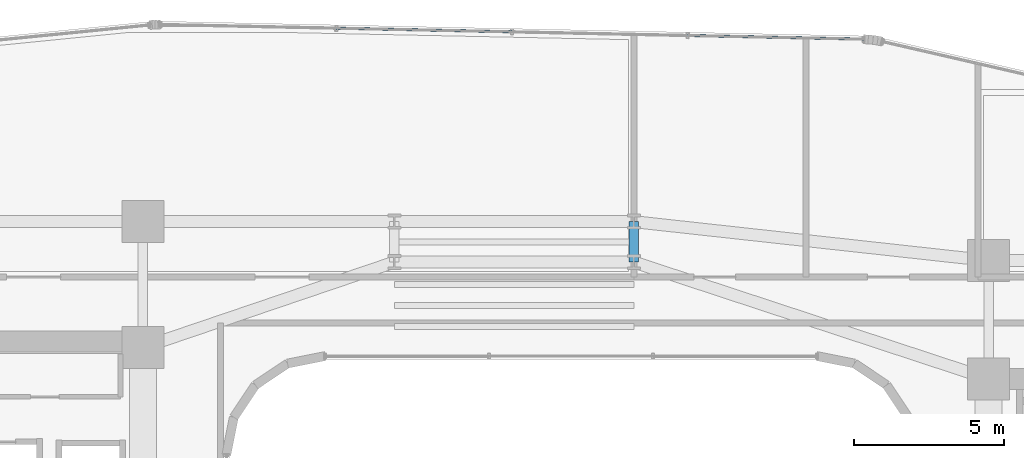
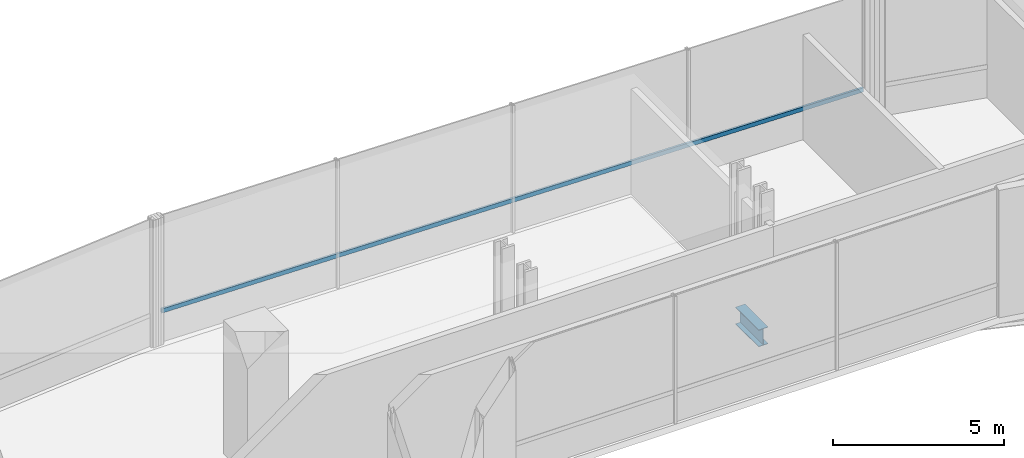
# One storey, part 26 of 39: 1 beam, 1 member, 1 element without a shape of its own.
"""IFC4 building model written with IfcOpenShell, lengths in metres."""

import ifcopenshell
import ifcopenshell.guid

model = None  # the IFC model being written
_history = None  # IfcOwnerHistory: only IFC2X3 demands one
_inside = {}  # id of a spatial element -> (the spatial element, [elements in it])
_under = {}  # id of a project, library or spatial element -> (it, [spatial elements below it])
_declared = {}  # id of a project -> (the project, [libraries it declares])
_typed = {}  # id of a type object -> (the type object, [elements of that type])
_made_of = {}  # id of a material, layer set ... -> (it, [elements and type objects made of it])


def new_model(schema):
    """Start an empty IFC model of exactly this schema.

    Asked for "IFC4X3", IfcOpenShell would pick the latest addendum, in which some entities
    have other attributes; the version numbers below select the first issue.
    IFC2X3 requires an IfcOwnerHistory on every rooted entity: one is made here for all.
    """
    global model, _history
    if schema == "IFC4X3":
        model = ifcopenshell.file(schema_version=(4, 3, 0, 0))
    else:
        model = ifcopenshell.file(schema=schema)
    _inside.clear()
    _under.clear()
    _declared.clear()
    _typed.clear()
    _made_of.clear()
    _history = None
    if model.schema == "IFC2X3":
        org = make("IfcOrganization", Name="unknown")
        user = make(
            "IfcPersonAndOrganization",
            ThePerson=make("IfcPerson", FamilyName="unknown"),
            TheOrganization=org,
        )
        app = make(
            "IfcApplication",
            ApplicationDeveloper=org,
            Version="unknown",
            ApplicationFullName="unknown",
            ApplicationIdentifier="unknown",
        )
        _history = make(
            "IfcOwnerHistory",
            OwningUser=user,
            OwningApplication=app,
            ChangeAction="ADDED",
            CreationDate=0,
        )
    return model


def make(cls, **values):
    """One entity of the class cls with the attributes given. An attribute that is None is left unset."""
    return model.create_entity(
        cls, **{name: value for name, value in values.items() if value is not None}
    )


def rooted(cls, **values):
    """An entity with a GlobalId (a new one), such as an element, a storey or a relation."""
    return make(cls, GlobalId=ifcopenshell.guid.new(), OwnerHistory=_history, **values)


def si_unit(unit_type, name, prefix=None):
    """IfcSIUnit, for example si_unit("LENGTHUNIT", "METRE", prefix="MILLI")."""
    return make("IfcSIUnit", UnitType=unit_type, Prefix=prefix, Name=name)


def assignment(units):
    """IfcUnitAssignment: the units of a project."""
    return None if units is None else make("IfcUnitAssignment", Units=units)


def point(xyz):
    """IfcCartesianPoint."""
    return None if xyz is None else make("IfcCartesianPoint", Coordinates=xyz)


def direction(xyz):
    """IfcDirection."""
    return None if xyz is None else make("IfcDirection", DirectionRatios=xyz)


def frame(location, z_axis=None, x_axis=None):
    """IfcAxis2Placement3D, a coordinate frame: its origin and axes. An axis left out is left unset."""
    return make(
        "IfcAxis2Placement3D",
        Location=point(location),
        Axis=direction(z_axis),
        RefDirection=direction(x_axis),
    )


def frame_2d(location, x_axis=None):
    """IfcAxis2Placement2D, a coordinate frame in the plane: its origin and x axis."""
    return make(
        "IfcAxis2Placement2D", Location=point(location), RefDirection=direction(x_axis)
    )


def origin():
    """The frame at (0, 0, 0) with its axes left unset."""
    return frame((0.0, 0.0, 0.0))


def origin_2d():
    """The frame at (0, 0) in the plane with its x axis left unset."""
    return frame_2d((0.0, 0.0))


def place(relative_to, where):
    """IfcLocalPlacement: puts the frame where relative to a parent placement (None: the world)."""
    return make(
        "IfcLocalPlacement", PlacementRelTo=relative_to, RelativePlacement=where
    )


def context(
    kind, dimensions, precision=None, world=None, true_north=None, identifier=None
):
    """IfcGeometricRepresentationContext, for example the 3D "Model" context."""
    return make(
        "IfcGeometricRepresentationContext",
        ContextIdentifier=identifier,
        ContextType=kind,
        CoordinateSpaceDimension=dimensions,
        Precision=precision,
        WorldCoordinateSystem=world,
        TrueNorth=true_north,
    )


def subcontext(parent, identifier, kind, view, scale=None):
    """IfcGeometricRepresentationSubContext, for example "Body" below "Model"."""
    return make(
        "IfcGeometricRepresentationSubContext",
        ContextIdentifier=identifier,
        ContextType=kind,
        ParentContext=parent,
        TargetScale=scale,
        TargetView=view,
    )


def project(units=None, contexts=None):
    """IfcProject with its units and contexts."""
    return rooted(
        "IfcProject",
        Name="project",
        RepresentationContexts=contexts,
        UnitsInContext=assignment(units),
    )


def spatial(cls, under=None, at=None, **own):
    """A site, building, storey or space (cls), placed at a placement, below another one or the project."""
    s = rooted(cls, ObjectPlacement=at, **own)
    if under is not None:
        _under.setdefault(under.id(), (under, []))[1].append(s)
    return s


def profile(cls, at=None, kind="AREA", **sizes):
    """A parametric profile (cls). Its sizes go by their IFC names, for example OverallWidth=200.0."""
    return make(cls, ProfileType=kind, Position=at, **sizes)


def hollow_rectangle(**sizes):
    """IfcRectangleHollowProfileDef."""
    return profile("IfcRectangleHollowProfileDef", **sizes)


def i_section(**sizes):
    """IfcIShapeProfileDef."""
    return profile("IfcIShapeProfileDef", **sizes)


def extrude(swept, where, along, depth):
    """IfcExtrudedAreaSolid: the profile swept, set in the frame where, extruded along a direction by depth."""
    return make(
        "IfcExtrudedAreaSolid",
        SweptArea=swept,
        Position=where,
        ExtrudedDirection=direction(along),
        Depth=depth,
    )


def shape(context_of_items, identifier, shape_type, items):
    """IfcShapeRepresentation: the items that make up one representation, for example the "Body"."""
    return make(
        "IfcShapeRepresentation",
        ContextOfItems=context_of_items,
        RepresentationIdentifier=identifier,
        RepresentationType=shape_type,
        Items=items,
    )


def source(mapping_origin, context_of_items, identifier, shape_type, items):
    """IfcRepresentationMap: a shape defined once, which mapped items show again and again."""
    return make(
        "IfcRepresentationMap",
        MappingOrigin=mapping_origin,
        MappedRepresentation=shape(context_of_items, identifier, shape_type, items),
    )


def transform(
    local_origin,
    x_axis=None,
    y_axis=None,
    z_axis=None,
    scale=None,
    scale2=None,
    scale3=None,
    uniform=True,
):
    """IfcCartesianTransformationOperator3D, or its non-uniform kind. x_axis, y_axis, z_axis: its Axis1, 2, 3."""
    if uniform:
        return make(
            "IfcCartesianTransformationOperator3D",
            Axis1=direction(x_axis),
            Axis2=direction(y_axis),
            LocalOrigin=point(local_origin),
            Scale=scale,
            Axis3=direction(z_axis),
        )
    return make(
        "IfcCartesianTransformationOperator3DnonUniform",
        Axis1=direction(x_axis),
        Axis2=direction(y_axis),
        LocalOrigin=point(local_origin),
        Scale=scale,
        Axis3=direction(z_axis),
        Scale2=scale2,
        Scale3=scale3,
    )


def mapped(mapping_source, mapping_target):
    """IfcMappedItem: shows the shape of a source again, moved by a transform."""
    return make(
        "IfcMappedItem", MappingSource=mapping_source, MappingTarget=mapping_target
    )


def material(Name=None, Category=None):
    """IfcMaterial."""
    return make("IfcMaterial", Name=Name, Category=Category)


def material_profile(
    of_material, cross_section, Name=None, Category=None, Priority=None
):
    """IfcMaterialProfile: a cross section and its material."""
    return make(
        "IfcMaterialProfile",
        Name=Name,
        Material=of_material,
        Profile=cross_section,
        Priority=Priority,
        Category=Category,
    )


def profile_set(profiles, Name=None, composite=None):
    """IfcMaterialProfileSet."""
    return make(
        "IfcMaterialProfileSet",
        Name=Name,
        MaterialProfiles=profiles,
        CompositeProfile=composite,
    )


def made_of(thing, what):
    """Note that an element or type object is made of a material, layer set ...; save() writes the relation."""
    if what is not None:
        _made_of.setdefault(what.id(), (what, []))[1].append(thing)
    return thing


def type_object(cls, material=None, **own):
    """A type object (cls), such as IfcWallType, which elements share."""
    return made_of(rooted(cls, **own), material)


def element(
    cls,
    number,
    at=None,
    inside=None,
    cuts=None,
    type_object=None,
    material=None,
    context=None,
    identifier="Body",
    shape_type=None,
    held_by="IfcProductDefinitionShape",
    body=None,
    shapes=None,
    **own,
):
    """One element of the class cls, such as IfcWall. Its Tag is "e" and its number.

    at: its placement. inside: the storey or other place that contains it. cuts: it is an
    opening in that element (IfcRelVoidsElement). A single representation is given by context,
    identifier, shape_type and body (its items); several are given by shapes. held_by: the class
    of the entity that holds the representations. save() writes the other relations.
    """
    e = rooted(cls, Tag="e%d" % number, ObjectPlacement=at, **own)
    if body is not None:
        shapes = [shape(context, identifier, shape_type, body)]
    if shapes is not None:
        e.Representation = make(held_by, Representations=shapes)
    if inside is not None:
        _inside.setdefault(inside.id(), (inside, []))[1].append(e)
    if cuts is not None:
        rooted(
            "IfcRelVoidsElement", RelatingBuildingElement=cuts, RelatedOpeningElement=e
        )
    if type_object is not None:
        _typed.setdefault(type_object.id(), (type_object, []))[1].append(e)
    return made_of(e, material)


def aggregate(whole, parts):
    """IfcRelAggregates: a whole, such as a stair, and the parts it consists of."""
    return rooted("IfcRelAggregates", RelatingObject=whole, RelatedObjects=parts)


def save(model, path):
    """Write the relations noted so far, then the file.

    IfcRelAggregates (storeys below a building ...), IfcRelContainedInSpatialStructure (elements
    in a storey), IfcRelDefinesByType, IfcRelAssociatesMaterial and IfcRelDeclares: one each for
    every whole, place, type object, material and project.
    """
    for whole, parts in _under.values():
        aggregate(whole, parts)
    for where, things in _inside.values():
        rooted(
            "IfcRelContainedInSpatialStructure",
            RelatedElements=things,
            RelatingStructure=where,
        )
    for kind, things in _typed.values():
        rooted("IfcRelDefinesByType", RelatedObjects=things, RelatingType=kind)
    for what, things in _made_of.values():
        rooted("IfcRelAssociatesMaterial", RelatedObjects=things, RelatingMaterial=what)
    for by, libraries in _declared.values():
        rooted("IfcRelDeclares", RelatingContext=by, RelatedDefinitions=libraries)
    model.write(path)


model = new_model("IFC4")

# Units and contexts
model_context = context("Model", 3, precision=1e-05, world=origin(), true_north=direction((0.0, 1.0)))
body_context = subcontext(model_context, "Body", "Model", "MODEL_VIEW")
ifc_project = project(units=[si_unit("LENGTHUNIT", "METRE"), si_unit("AREAUNIT", "SQUARE_METRE"), si_unit("VOLUMEUNIT", "CUBIC_METRE"), si_unit("PLANEANGLEUNIT", "RADIAN"), si_unit("MASSUNIT", "GRAM", prefix="KILO")], contexts=[model_context])

# Site, building, storey
site_placement = place(None, origin())
site = spatial("IfcSite", under=ifc_project, at=site_placement, CompositionType="ELEMENT")
building_placement = place(site_placement, origin())
building = spatial("IfcBuilding", under=site, at=building_placement, Name="Valdorenza Pilgrim Sanctuary Tower", CompositionType="ELEMENT")
storey_placement = place(building_placement, frame((0.0, 0.0, 96.300048828125)))
storey = spatial("IfcBuildingStorey", under=building, at=storey_placement, Name="L24", CompositionType="ELEMENT", Elevation=96.300048828125)

# Beam
ifc_material_1 = material(Name="Steel ASTM A992 Grade 50", Category="steel")
ifc_material_profile_1 = material_profile(ifc_material_1, i_section(OverallWidth=0.323974609375, OverallDepth=0.611083984375, WebThickness=0.0126953125, FlangeThickness=0.01904296875, at=origin_2d()), Name="W24X104")
ifc_profile_set_1 = profile_set([ifc_material_profile_1], Name="Steel ASTM A992 Grade 50")
beam_type = type_object("IfcBeamType", Name="STR-BM-GRD-W24B", PredefinedType="BEAM", material=ifc_profile_set_1)
shared_shape_1 = source(origin(), body_context, "Body", "SweptSolid", [
    extrude(i_section(OverallWidth=0.323974609375, OverallDepth=0.611083984375, WebThickness=0.0126953125, FlangeThickness=0.01904296875, at=origin_2d()), origin(), (0.0, 0.0, 1.0), 1.35009765625),
])
beam_placement = place(storey_placement, frame((4.0, 13.449951171875, -0.545654296875), z_axis=(0.0, 1.0, 0.0), x_axis=(-1.0, 0.0, 0.0)))
element("IfcBeam", 1, at=beam_placement, inside=storey, type_object=beam_type, Name="L24 Floor Girder KNK-TIE-E", PredefinedType="BEAM", context=body_context, shape_type="MappedRepresentation", body=[
    mapped(shared_shape_1, transform((0.0, 0.0, 0.0), x_axis=(1.0, 0.0, 0.0), y_axis=(0.0, 1.0, 0.0), z_axis=(0.0, 0.0, 1.0), scale=1.0)),
])

# Curtain wall, member
ifc_material_2 = material(Name="Curtain-wall IGU glazing", Category="glass")
curtain_wall_type = type_object("IfcCurtainWallType", Name="CW-SYS-02", PredefinedType="NOTDEFINED", material=ifc_material_2)
curtain_wall_placement = place(storey_placement, origin())
curtain_wall = element("IfcCurtainWall", 2, at=curtain_wall_placement, inside=storey, type_object=curtain_wall_type, Name="L24 Curtain Wall CW-L24-1-11", PredefinedType="NOTDEFINED")
ifc_material_3 = material(Name="Anodised aluminium AW-6060", Category="aluminium")
ifc_material_profile_2 = material_profile(ifc_material_3, hollow_rectangle(XDim=0.074951171875, YDim=0.14990234375, WallThickness=0.00390625, at=origin_2d()), Name="ALU-T 150x75x4")
ifc_profile_set_2 = profile_set([ifc_material_profile_2], Name="Anodised aluminium AW-6060")
member_type = type_object("IfcMemberType", Name="CW-TRN-02", PredefinedType="USERDEFINED", material=ifc_profile_set_2)
shared_shape_2 = source(origin(), body_context, "Body", "SweptSolid", [
    extrude(hollow_rectangle(XDim=0.074951171875, YDim=0.14990234375, WallThickness=0.00390625, at=origin_2d()), origin(), (0.0, 0.0, 1.0), 23.479248046875),
])
member_placement = place(storey_placement, frame((-11.808349609375, 21.385986328125, 1.119873046875), z_axis=(0.999783083794, -0.020827514476, 0.0), x_axis=(0.020827514476, 0.999783083794, 0.0)))
member = element("IfcMember", 3, at=member_placement, type_object=member_type, Name="CW-L24-1-11 Transom 1", ObjectType="TRANSOM", PredefinedType="USERDEFINED", context=body_context, shape_type="MappedRepresentation", body=[
    mapped(shared_shape_2, transform((0.0, 0.0, 0.0), x_axis=(1.0, 0.0, 0.0), y_axis=(0.0, 1.0, 0.0), z_axis=(0.0, 0.0, 1.0), scale=1.0)),
])
aggregate(curtain_wall, [member])

save(model, "model.ifc")
